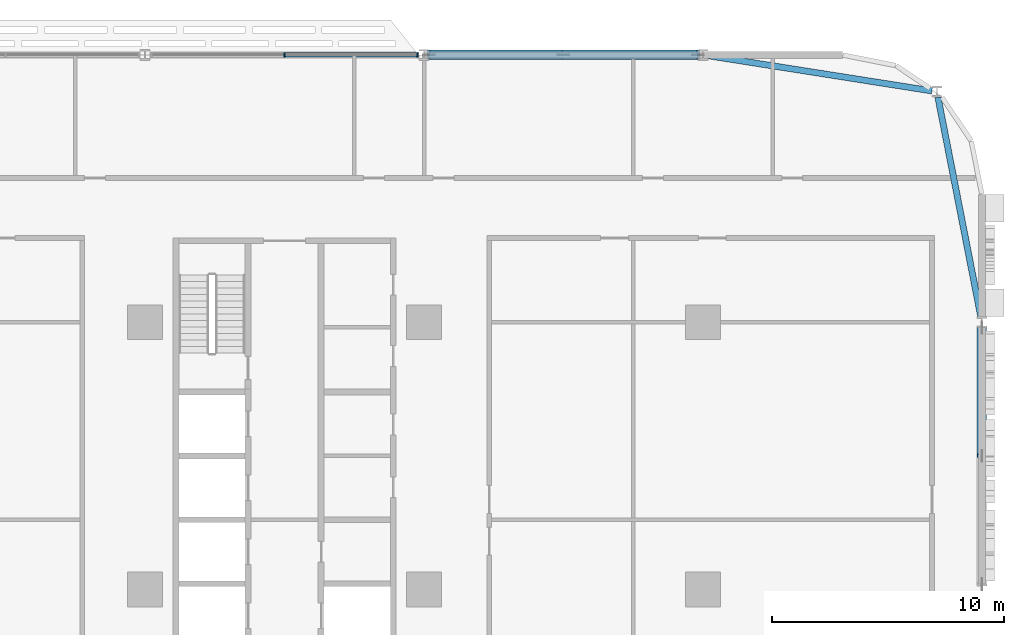
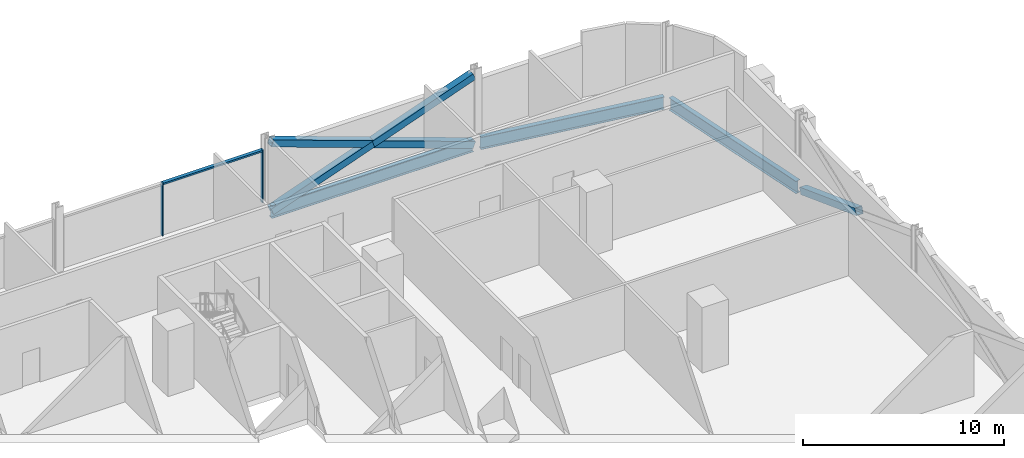
# One storey, part 10 of 29: 7 members, 3 beams, 1 element without a shape of its own.
"""IFC4 building model written with IfcOpenShell, lengths in metres."""

from ifc_helpers import new_model, si_unit, direction, frame, origin, origin_2d, place, context, subcontext, project, spatial, rectangle, hollow_rectangle, i_section, extrude, material, material_profile, profile_set, type_object, element, aggregate, save


model = new_model("IFC4")

# Units and contexts
model_context = context("Model", 3, precision=1e-05, world=origin(), true_north=direction((0.0, 1.0)))
body_context = subcontext(model_context, "Body", "Model", "MODEL_VIEW")
ifc_project = project(units=[si_unit("LENGTHUNIT", "METRE"), si_unit("AREAUNIT", "SQUARE_METRE"), si_unit("VOLUMEUNIT", "CUBIC_METRE"), si_unit("PLANEANGLEUNIT", "RADIAN"), si_unit("MASSUNIT", "GRAM", prefix="KILO")], contexts=[model_context])

# Site, building, storey
site_placement = place(None, origin())
site = spatial("IfcSite", under=ifc_project, at=site_placement, CompositionType="ELEMENT")
building_placement = place(site_placement, origin())
building = spatial("IfcBuilding", under=site, at=building_placement, Name="Mahtab Terrace Research Tower", CompositionType="ELEMENT")
storey_placement = place(building_placement, frame((0.0, 0.0, 54.60009765625)))
storey = spatial("IfcBuildingStorey", under=building, at=storey_placement, Name="L12", CompositionType="ELEMENT", Elevation=54.60009765625)

# Members
ifc_material_1 = material(Name="Steel ASTM A500 Gr C", Category="steel")
ifc_material_profile_1 = material_profile(ifc_material_1, hollow_rectangle(XDim=0.406494140625, YDim=0.406494140625, WallThickness=0.01904296875, at=origin_2d()), Name="HSS16X16X3/4")
ifc_profile_set_1 = profile_set([ifc_material_profile_1], Name="Steel ASTM A500 Gr C")
member_type_1 = type_object("IfcMemberType", Name="HSS 16x16x3/4 brace XB161634", PredefinedType="BRACE", material=ifc_profile_set_1)
member_1_placement = place(storey_placement, frame((41.787841796875, 23.0, -0.642578125), z_axis=(-0.941386519928, 0.0, 0.337329838731), x_axis=(0.0, -1.0, 0.0)))
element("IfcMember", 1, at=member_1_placement, inside=storey, type_object=member_type_1, Name="Exoskeleton brace L12 02 a", PredefinedType="BRACE", context=body_context, shape_type="SweptSolid", body=[
    extrude(hollow_rectangle(XDim=0.406494140625, YDim=0.406494140625, WallThickness=0.01904296875, at=origin_2d()), origin(), (0.0, 0.0, 1.0), 12.29638671875),
])
for number, where, z_axis, x_axis, name in (
    (2, (30.212158203125, 23.0, -0.642578125), (0.941386519928, 0.0, 0.337329838731), (0.0, 1.0, 0.0), "Exoskeleton brace L12 02 b1"),
    (3, (36.0, 23.0, 1.431396484375), (0.941386519928, 0.0, 0.337329838731), (0.0, 1.0, 0.0), "Exoskeleton brace L12 02 b2"),
):
    element("IfcMember", number, at=place(storey_placement, frame(where, z_axis=z_axis, x_axis=x_axis)), inside=storey, type_object=member_type_1, Name=name, PredefinedType="BRACE", context=body_context, shape_type="SweptSolid", body=[
        extrude(hollow_rectangle(XDim=0.406494140625, YDim=0.406494140625, WallThickness=0.01904296875, at=origin_2d()), origin(), (0.0, 0.0, 1.0), 6.148193359375),
    ])
member_2_placement = place(storey_placement, frame((54.0, 11.262451171875, -0.629638671875), z_axis=(0.0, -0.936671402403, 0.350209485765), x_axis=(1.0, 0.0, 0.0)))
element("IfcMember", 4, at=member_2_placement, inside=storey, type_object=member_type_1, Name="Exoskeleton brace L12 23 b1", PredefinedType="BRACE", context=body_context, shape_type="SweptSolid", body=[
    extrude(hollow_rectangle(XDim=0.406494140625, YDim=0.406494140625, WallThickness=0.01904296875, at=origin_2d()), origin(), (0.0, 0.0, 1.0), 5.88525390625),
])

# Curtain wall, members
ifc_material_2 = material(Name="Laboratory ribbon curtain wall")
curtain_wall_type = type_object("IfcCurtainWallType", Name="Laboratory ribbon curtain wall", PredefinedType="NOTDEFINED", material=ifc_material_2)
curtain_wall_placement = place(storey_placement, origin())
curtain_wall = element("IfcCurtainWall", 5, at=curtain_wall_placement, inside=storey, type_object=curtain_wall_type, Name="EN.L12.3.5", PredefinedType="NOTDEFINED")
ifc_material_3 = material(Name="Natural anodised aluminium", Category="aluminium")
ifc_material_profile_2 = material_profile(ifc_material_3, rectangle(XDim=0.199951171875, YDim=0.06494140625, at=origin_2d()), Name="MULLION 65x200")
ifc_profile_set_2 = profile_set([ifc_material_profile_2], Name="Natural anodised aluminium")
member_type_2 = type_object("IfcMemberType", Name="Laboratory ribbon curtain wall mullion", PredefinedType="MULLION", material=ifc_profile_set_2)
member_3_placement = place(storey_placement, frame((29.7294921875, 23.0, 0.0), z_axis=(0.0, 0.0, 1.0), x_axis=(0.0, -1.0, 0.0)))
member_3 = element("IfcMember", 6, at=member_3_placement, type_object=member_type_2, Name="CWL-2 mullion 1", PredefinedType="MULLION", context=body_context, shape_type="SweptSolid", body=[
    extrude(rectangle(XDim=0.199951171875, YDim=0.06494140625, at=origin_2d()), origin(), (0.0, 0.0, 1.0), 3.202880859375),
])
member_4_placement = place(storey_placement, frame((24.0, 23.0, 0.0), z_axis=(0.0, 0.0, 1.0), x_axis=(0.0, -1.0, 0.0)))
member_4 = element("IfcMember", 7, at=member_4_placement, type_object=member_type_2, Name="CWL-2 mullion 2", PredefinedType="MULLION", context=body_context, shape_type="SweptSolid", body=[
    extrude(rectangle(XDim=0.199951171875, YDim=0.06494140625, at=origin_2d()), origin(), (0.0, 0.0, 1.0), 3.202880859375),
])
ifc_material_profile_3 = material_profile(ifc_material_3, rectangle(XDim=0.199951171875, YDim=0.10009765625, at=origin_2d()), Name="TRANSOM 100x200")
ifc_profile_set_3 = profile_set([ifc_material_profile_3], Name="Natural anodised aluminium")
member_type_3 = type_object("IfcMemberType", Name="Laboratory ribbon curtain wall transom", PredefinedType="USERDEFINED", material=ifc_profile_set_3)
member_5_placement = place(storey_placement, frame((29.697021484375, 23.0, 3.153076171875), z_axis=(-1.0, 0.0, 0.0), x_axis=(0.0, -1.0, 0.0)))
member_5 = element("IfcMember", 8, at=member_5_placement, type_object=member_type_3, Name="CWL-2 transom 1", ObjectType="TRANSOM", PredefinedType="USERDEFINED", context=body_context, shape_type="SweptSolid", body=[
    extrude(rectangle(XDim=0.199951171875, YDim=0.10009765625, at=origin_2d()), origin(), (0.0, 0.0, 1.0), 5.66455078125),
])
aggregate(curtain_wall, [member_3, member_4, member_5])

# Beams
ifc_material_4 = material(Name="Steel ASTM A992 Gr 50", Category="steel")
ifc_material_profile_4 = material_profile(ifc_material_4, i_section(OverallWidth=0.2666015625, OverallDepth=0.7568359375, WebThickness=0.013916015625, FlangeThickness=0.019287109375, at=origin_2d()), Name="W30X108")
ifc_profile_set_4 = profile_set([ifc_material_profile_4], Name="Steel ASTM A992 Gr 50")
beam_type = type_object("IfcBeamType", Name="W30x108 beam BS30108", PredefinedType="BEAM", material=ifc_profile_set_4)
beam_1_placement = place(storey_placement, frame((51.849853515625, 21.449462890625, -0.718505859375), z_axis=(-0.987836303792, 0.155497385545, 0.0), x_axis=(-0.155497385545, -0.987836303792, 0.0)))
element("IfcBeam", 9, at=beam_1_placement, inside=storey, type_object=beam_type, Name="Spandrel beam L12 01", PredefinedType="BEAM", context=body_context, shape_type="SweptSolid", body=[
    extrude(i_section(OverallWidth=0.2666015625, OverallDepth=0.7568359375, WebThickness=0.013916015625, FlangeThickness=0.019287109375, at=origin_2d()), origin(), (0.0, 0.0, 1.0), 9.75634765625),
])
beam_2_placement = place(storey_placement, frame((41.787841796875, 23.0, -0.718505859375), z_axis=(-1.0, 0.0, 0.0), x_axis=(0.0, -1.0, 0.0)))
element("IfcBeam", 10, at=beam_2_placement, inside=storey, type_object=beam_type, Name="Spandrel beam L12 02", PredefinedType="BEAM", context=body_context, shape_type="SweptSolid", body=[
    extrude(i_section(OverallWidth=0.2666015625, OverallDepth=0.7568359375, WebThickness=0.013916015625, FlangeThickness=0.019287109375, at=origin_2d()), origin(), (0.0, 0.0, 1.0), 11.57568359375),
])
beam_3_placement = place(storey_placement, frame((53.95361328125, 11.737548828125, -0.718505859375), z_axis=(-0.191819239661, 0.981430272254, 0.0), x_axis=(-0.981430272254, -0.191819239661, 0.0)))
element("IfcBeam", 11, at=beam_3_placement, inside=storey, type_object=beam_type, Name="Spandrel beam L12 24", PredefinedType="BEAM", context=body_context, shape_type="SweptSolid", body=[
    extrude(i_section(OverallWidth=0.2666015625, OverallDepth=0.7568359375, WebThickness=0.013916015625, FlangeThickness=0.019287109375, at=origin_2d()), origin(), (0.0, 0.0, 1.0), 9.61962890625),
])

save(model, "model.ifc")
